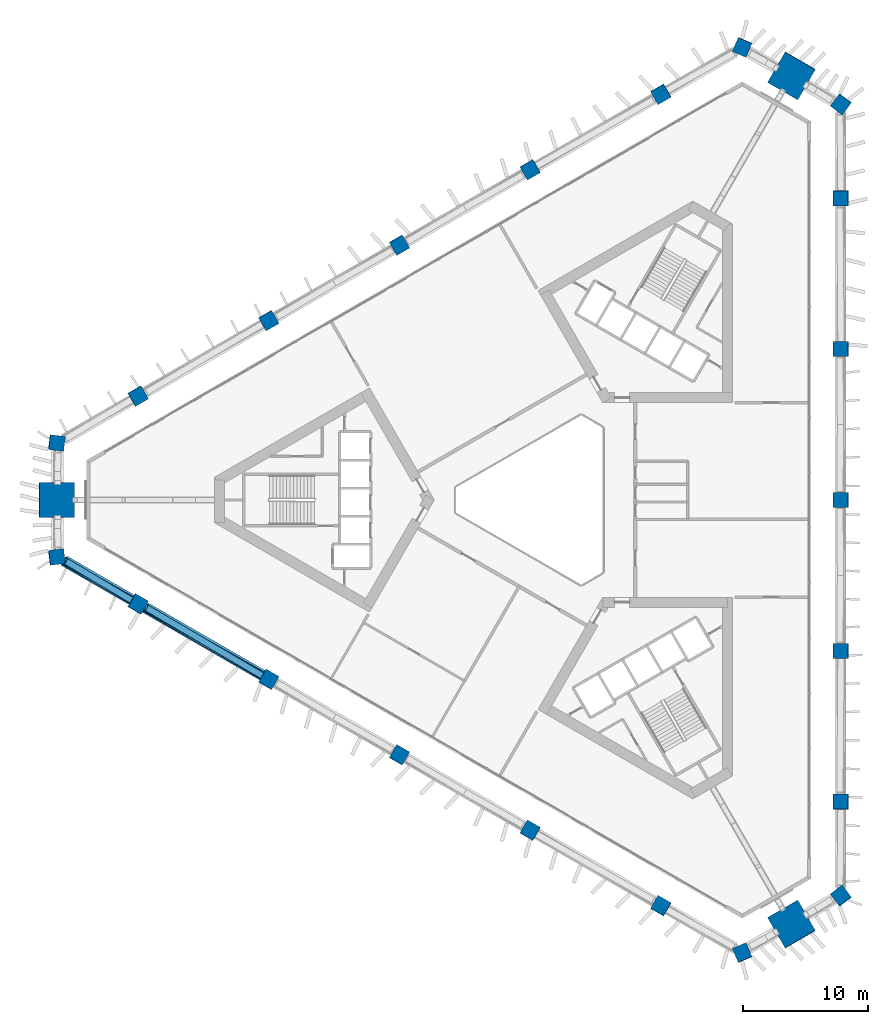
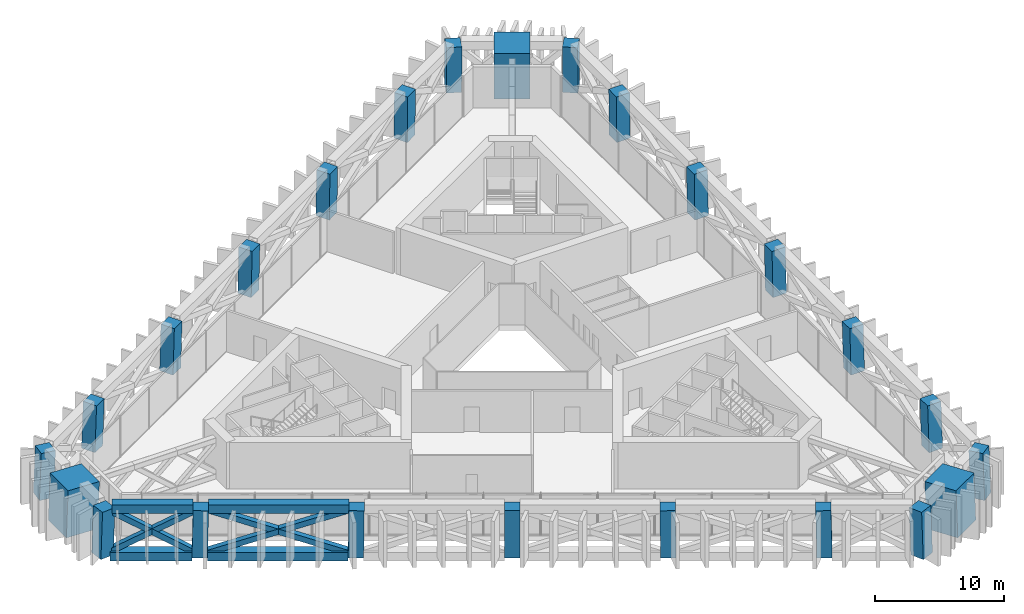
# One storey, part 1 of 18: 24 columns, 8 members.
"""IFC4 building model written with IfcOpenShell, lengths in metres."""

from ifc_helpers import new_model, si_unit, direction, frame, origin, origin_2d, place, context, subcontext, project, spatial, rectangle, hollow_rectangle, extrude, material, material_profile, profile_set, type_object, element, save


model = new_model("IFC4")

# Units and contexts
model_context = context("Model", 3, precision=1e-05, world=origin(), true_north=direction((0.0, 1.0)))
body_context = subcontext(model_context, "Body", "Model", "MODEL_VIEW")
ifc_project = project(units=[si_unit("LENGTHUNIT", "METRE"), si_unit("AREAUNIT", "SQUARE_METRE"), si_unit("VOLUMEUNIT", "CUBIC_METRE"), si_unit("PLANEANGLEUNIT", "RADIAN"), si_unit("MASSUNIT", "GRAM", prefix="KILO")], contexts=[model_context])

# Site, building, storey
site_placement = place(None, origin())
site = spatial("IfcSite", under=ifc_project, at=site_placement, CompositionType="ELEMENT")
building_placement = place(site_placement, origin())
building = spatial("IfcBuilding", under=site, at=building_placement, Name="Jabali Bay Hotel Tower and Convention Centre", CompositionType="ELEMENT")
storey_placement = place(building_placement, frame((0.0, 0.0, 52.89990234375)))
storey = spatial("IfcBuildingStorey", under=building, at=storey_placement, Name="L11", CompositionType="ELEMENT", Elevation=52.89990234375)

# Columns
ifc_material_1 = material(Name="Concrete C60", Category="concrete")
ifc_material_profile_1 = material_profile(ifc_material_1, rectangle(XDim=1.199951171875, YDim=1.199951171875, at=origin_2d()), Name="Frame column 1200")
ifc_profile_set_1 = profile_set([ifc_material_profile_1], Name="Concrete C60")
column_type_1 = type_object("IfcColumnType", Name="Frame column 1200", PredefinedType="COLUMN", material=ifc_profile_set_1)
column_1_placement = place(storey_placement, frame((84.15673828125, 112.5234375, 0.0), z_axis=(-0.008374563655, -0.028174028721, 0.999567952062), x_axis=(0.865767069895, 0.499991710759, 0.021346424936)))
element("IfcColumn", 1, at=column_1_placement, inside=storey, type_object=column_type_1, Name="FC1 F1.1 L11", PredefinedType="COLUMN", context=body_context, shape_type="SweptSolid", body=[
    extrude(rectangle(XDim=1.199951171875, YDim=1.199951171875, at=origin_2d()), origin(), (0.0, 0.0, 1.0), 4.402099609375),
])
column_2_placement = place(storey_placement, frame((73.681396484375, 106.475341796875, 0.0), z_axis=(0.000887523446, -0.022798258525, 0.999739691975), x_axis=(0.865376704776, 0.501008573055, 0.010656854921)))
element("IfcColumn", 2, at=column_2_placement, inside=storey, type_object=column_type_1, Name="FC1 F1.2 L11", PredefinedType="COLUMN", context=body_context, shape_type="SweptSolid", body=[
    extrude(rectangle(XDim=1.199951171875, YDim=1.199951171875, at=origin_2d()), origin(), (0.0, 0.0, 1.0), 4.4013671875),
])
column_3_placement = place(storey_placement, frame((63.2060546875, 100.427490234375, 0.0), z_axis=(0.010096151254, -0.017474107939, 0.999796340902), x_axis=(-0.500171963961, 0.865690897347, 0.020181098047)))
element("IfcColumn", 3, at=column_3_placement, inside=storey, type_object=column_type_1, Name="FC1 F1.3 L11", PredefinedType="COLUMN", context=body_context, shape_type="SweptSolid", body=[
    extrude(rectangle(XDim=1.199951171875, YDim=1.199951171875, at=origin_2d()), origin(), (0.0, 0.0, 1.0), 4.401123046875),
])
column_4_placement = place(storey_placement, frame((52.73095703125, 94.379638671875, 0.0), z_axis=(0.019303638282, -0.012147979264, 0.999739864239), x_axis=(-0.499386766349, 0.866144413121, 0.020167132063)))
element("IfcColumn", 4, at=column_4_placement, inside=storey, type_object=column_type_1, Name="FC1 F1.4 L11", PredefinedType="COLUMN", context=body_context, shape_type="SweptSolid", body=[
    extrude(rectangle(XDim=1.199951171875, YDim=1.199951171875, at=origin_2d()), origin(), (0.0, 0.0, 1.0), 4.4013671875),
])
for number, where, z_axis, x_axis, name in (
    (5, (42.255615234375, 88.331787109375, 0.0), (0.028562275974, -0.006821669796, 0.999568737613), (-0.499617756737, 0.866010738811, 0.020186565255), "FC1 F1.5 L11"),
    (6, (42.255615234375, 71.668212890625, 0.0), (0.028562275974, 0.006821669796, 0.999568737613), (-0.865774967035, 0.499978864638, 0.021327010357), "FC1 F2.1 L11"),
):
    element("IfcColumn", number, at=place(storey_placement, frame(where, z_axis=z_axis, x_axis=x_axis)), inside=storey, type_object=column_type_1, Name=name, PredefinedType="COLUMN", context=body_context, shape_type="SweptSolid", body=[
        extrude(rectangle(XDim=1.199951171875, YDim=1.199951171875, at=origin_2d()), origin(), (0.0, 0.0, 1.0), 4.402099609375),
    ])
column_5_placement = place(storey_placement, frame((52.73095703125, 65.620361328125, 0.0), z_axis=(0.019303638282, 0.012147979264, 0.999739864239), x_axis=(-0.866164087887, 0.499646157015, 0.010653198369)))
element("IfcColumn", 7, at=column_5_placement, inside=storey, type_object=column_type_1, Name="FC1 F2.2 L11", PredefinedType="COLUMN", context=body_context, shape_type="SweptSolid", body=[
    extrude(rectangle(XDim=1.199951171875, YDim=1.199951171875, at=origin_2d()), origin(), (0.0, 0.0, 1.0), 4.4013671875),
])
column_6_placement = place(storey_placement, frame((63.2060546875, 59.572509765625, 0.0), z_axis=(0.010096151254, 0.017474107939, 0.999796340902), x_axis=(-0.865867238205, 0.500273850809, 8.7352e-08)))
element("IfcColumn", 8, at=column_6_placement, inside=storey, type_object=column_type_1, Name="FC1 F2.3 L11", PredefinedType="COLUMN", context=body_context, shape_type="SweptSolid", body=[
    extrude(rectangle(XDim=1.199951171875, YDim=1.199951171875, at=origin_2d()), origin(), (0.0, 0.0, 1.0), 4.401123046875),
])
column_7_placement = place(storey_placement, frame((73.681396484375, 53.524658203125, 0.0), z_axis=(0.000887523446, 0.022798258525, 0.999739691975), x_axis=(-0.501121114236, -0.865141982066, 0.020173738693)))
element("IfcColumn", 9, at=column_7_placement, inside=storey, type_object=column_type_1, Name="FC1 F2.4 L11", PredefinedType="COLUMN", context=body_context, shape_type="SweptSolid", body=[
    extrude(rectangle(XDim=1.199951171875, YDim=1.199951171875, at=origin_2d()), origin(), (0.0, 0.0, 1.0), 4.4013671875),
])
for number, where, z_axis, x_axis, name in (
    (10, (84.15673828125, 47.4765625, 0.0), (-0.008374563655, 0.028174028721, 0.999567952062), (-0.50037710516, -0.865571784012, 0.020204933884), "FC1 F2.5 L11"),
    (11, (98.587646484375, 55.808349609375, 0.0), (-0.020187718218, 0.021296933504, 0.999569355601), (0.000515138351, -0.999772747835, 0.02131167095), "FC1 F0.1 L11"),
):
    element("IfcColumn", number, at=place(storey_placement, frame(where, z_axis=z_axis, x_axis=x_axis)), inside=storey, type_object=column_type_1, Name=name, PredefinedType="COLUMN", context=body_context, shape_type="SweptSolid", body=[
        extrude(rectangle(XDim=1.199951171875, YDim=1.199951171875, at=origin_2d()), origin(), (0.0, 0.0, 1.0), 4.402099609375),
    ])
column_8_placement = place(storey_placement, frame((98.587646484375, 67.904052734375, 0.0), z_axis=(-0.020191140758, 0.010705742215, 0.999738818351), x_axis=(-0.001655148704, -0.999941656211, 0.010674486241)))
element("IfcColumn", 12, at=column_8_placement, inside=storey, type_object=column_type_1, Name="FC1 F0.2 L11", PredefinedType="COLUMN", context=body_context, shape_type="SweptSolid", body=[
    extrude(rectangle(XDim=1.199951171875, YDim=1.199951171875, at=origin_2d()), origin(), (0.0, 0.0, 1.0), 4.4013671875),
])
column_9_placement = place(storey_placement, frame((98.587646484375, 80.0, 0.0), z_axis=(-0.02019229794, 0.0, 0.999796114767), x_axis=(0.0, -1.0, 0.0)))
element("IfcColumn", 13, at=column_9_placement, inside=storey, type_object=column_type_1, Name="FC1 F0.3 L11", PredefinedType="COLUMN", context=body_context, shape_type="SweptSolid", body=[
    extrude(rectangle(XDim=1.199951171875, YDim=1.199951171875, at=origin_2d()), origin(), (0.0, 0.0, 1.0), 4.401123046875),
])
column_10_placement = place(storey_placement, frame((98.587646484375, 92.095947265625, 0.0), z_axis=(-0.020191140758, -0.010705742215, 0.999738818351), x_axis=(0.999794768099, 0.001439186356, 0.020207682326)))
element("IfcColumn", 14, at=column_10_placement, inside=storey, type_object=column_type_1, Name="FC1 F0.4 L11", PredefinedType="COLUMN", context=body_context, shape_type="SweptSolid", body=[
    extrude(rectangle(XDim=1.199951171875, YDim=1.199951171875, at=origin_2d()), origin(), (0.0, 0.0, 1.0), 4.4013671875),
])
column_11_placement = place(storey_placement, frame((98.587646484375, 104.191650390625, 0.0), z_axis=(-0.020187718218, -0.021296933504, 0.999569355601), x_axis=(0.99979607454, -0.000945150517, 0.020172159648)))
element("IfcColumn", 15, at=column_11_placement, inside=storey, type_object=column_type_1, Name="FC1 F0.5 L11", PredefinedType="COLUMN", context=body_context, shape_type="SweptSolid", body=[
    extrude(rectangle(XDim=1.199951171875, YDim=1.199951171875, at=origin_2d()), origin(), (0.0, 0.0, 1.0), 4.402099609375),
])
for number, where, z_axis, x_axis, name in (
    (16, (98.587646484375, 48.280029296875, 0.0), (-0.020183805084, 0.029000357304, 0.999375601708), (-0.802341908924, -0.59686364986, 0.001115643013), "FC1 V0 L11"),
    (17, (98.587646484375, 111.719970703125, 0.0), (-0.020183805084, -0.029000357304, 0.999375601708), (0.596523323262, 0.801818410085, 0.035315181609), "FC1 V1 L11"),
    (18, (90.676513671875, 116.28759765625, 0.0), (-0.015026945815, -0.031994641089, 0.999375071653), (0.918101731886, -0.396343240416, 0.001116102737), "FC1 V2 L11"),
    (19, (35.73583984375, 84.567626953125, 0.0), (0.035210752589, -0.00299430022, 0.999375423486), (-0.992609354032, 0.116099751692, 0.035320220074), "FC1 V3 L11"),
    (20, (35.73583984375, 75.432373046875, 0.0), (0.035210752589, 0.00299430022, 0.999375423486), (-0.116132997856, 0.993233045072, 0.001115789225), "FC1 V4 L11"),
    (21, (90.676513671875, 43.71240234375, 0.0), (-0.015026945815, 0.031994641089, 0.999375071653), (0.396059844983, -0.917544755703, 0.035330163792), "FC1 V5 L11"),
):
    element("IfcColumn", number, at=place(storey_placement, frame(where, z_axis=z_axis, x_axis=x_axis)), inside=storey, type_object=column_type_1, Name=name, PredefinedType="COLUMN", context=body_context, shape_type="SweptSolid", body=[
        extrude(rectangle(XDim=1.199951171875, YDim=1.199951171875, at=origin_2d()), origin(), (0.0, 0.0, 1.0), 4.40283203125),
    ])
ifc_material_2 = material(Name="Concrete C70", Category="concrete")
ifc_material_profile_2 = material_profile(ifc_material_2, rectangle(XDim=2.800048828125, YDim=2.800048828125, at=origin_2d()), Name="Mega column 2800")
ifc_profile_set_2 = profile_set([ifc_material_profile_2], Name="Concrete C70")
column_type_2 = type_object("IfcColumnType", Name="Mega column 2800", PredefinedType="COLUMN", material=ifc_profile_set_2)
for number, where, z_axis, x_axis, name in (
    (22, (94.632080078125, 114.003662109375, 0.0), (-0.017577766169, -0.030442251188, 0.99938195475), (0.49973347244, 0.865465624969, 0.035152646001), "MC1 M1 L11"),
    (23, (35.73583984375, 80.0, 0.0), (0.035210910437, 0.0, 0.999379903633), (0.0, 1.0, 0.0), "MC1 M0 L11"),
    (24, (94.632080078125, 45.996337890625, 0.0), (-0.017577766169, 0.030442251188, 0.99938195475), (-0.866000853729, -0.500042519532, 5.9512e-08), "MC1 M2 L11"),
):
    element("IfcColumn", number, at=place(storey_placement, frame(where, z_axis=z_axis, x_axis=x_axis)), inside=storey, type_object=column_type_2, Name=name, PredefinedType="COLUMN", context=body_context, shape_type="SweptSolid", body=[
        extrude(rectangle(XDim=2.800048828125, YDim=2.800048828125, at=origin_2d()), origin(), (0.0, 0.0, 1.0), 4.40283203125),
    ])

# Members
ifc_material_3 = material(Name="Steel Q420GJC", Category="steel")
ifc_material_profile_3 = material_profile(ifc_material_3, hollow_rectangle(XDim=0.5, YDim=0.5, WallThickness=0.030029296875, at=origin_2d()), Name="Belt brace 500x500x30")
ifc_profile_set_3 = profile_set([ifc_material_profile_3], Name="Steel Q420GJC")
member_type_1 = type_object("IfcMemberType", Name="Belt brace 500x500x30", PredefinedType="BRACE", material=ifc_profile_set_3)
member_1_placement = place(storey_placement, frame((36.259033203125, 75.138427734375, 0.346435546875), z_axis=(0.755034238339, -0.42426642668, 0.499921291933), x_axis=(0.48987496926, 0.87179270156, 0.0)))
element("IfcMember", 25, at=member_1_placement, inside=storey, type_object=member_type_1, Name="Belt brace T1 V4-F2.1 x1", PredefinedType="BRACE", context=body_context, shape_type="SweptSolid", body=[
    extrude(hollow_rectangle(XDim=0.5, YDim=0.5, WallThickness=0.030029296875, at=origin_2d()), origin(), (0.0, 0.0, 1.0), 7.415771484375),
])
member_2_placement = place(storey_placement, frame((41.739501953125, 71.974609375, 0.356689453125), z_axis=(-0.739190475785, 0.438681780781, 0.511033986853), x_axis=(-0.510355905698, -0.85996328382, 0.0)))
element("IfcMember", 26, at=member_2_placement, inside=storey, type_object=member_type_1, Name="Belt brace T1 V4-F2.1 x2", PredefinedType="BRACE", context=body_context, shape_type="SweptSolid", body=[
    extrude(hollow_rectangle(XDim=0.5, YDim=0.5, WallThickness=0.030029296875, at=origin_2d()), origin(), (0.0, 0.0, 1.0), 7.21435546875),
])
member_3_placement = place(storey_placement, frame((42.77734375, 71.3720703125, 0.217529296875), z_axis=(0.81764262067, -0.464122989856, 0.340661701914), x_axis=(0.493650212477, 0.86966054741, 0.0)))
element("IfcMember", 27, at=member_3_placement, inside=storey, type_object=member_type_1, Name="Belt brace T1 F2.1-F2.2 x1", PredefinedType="BRACE", context=body_context, shape_type="SweptSolid", body=[
    extrude(hollow_rectangle(XDim=0.5, YDim=0.5, WallThickness=0.030029296875, at=origin_2d()), origin(), (0.0, 0.0, 1.0), 11.639404296875),
])
member_4_placement = place(storey_placement, frame((52.21337890625, 65.92431640625, 0.219970703125), z_axis=(-0.809606268259, 0.475455089943, 0.344209453449), x_axis=(-0.506399714838, -0.862298862815, 0.0)))
element("IfcMember", 28, at=member_4_placement, inside=storey, type_object=member_type_1, Name="Belt brace T1 F2.1-F2.2 x2", PredefinedType="BRACE", context=body_context, shape_type="SweptSolid", body=[
    extrude(hollow_rectangle(XDim=0.5, YDim=0.5, WallThickness=0.030029296875, at=origin_2d()), origin(), (0.0, 0.0, 1.0), 11.505126953125),
])
ifc_material_profile_4 = material_profile(ifc_material_3, hollow_rectangle(XDim=0.800048828125, YDim=0.800048828125, WallThickness=0.0400390625, at=origin_2d()), Name="Belt chord 800x800x40")
ifc_profile_set_4 = profile_set([ifc_material_profile_4], Name="Steel Q420GJC")
member_type_2 = type_object("IfcMemberType", Name="Belt chord 800x800x40", PredefinedType="CHORD", material=ifc_profile_set_4)
member_5_placement = place(storey_placement, frame((36.25537109375, 75.132568359375, 0.0), z_axis=(0.866014693011, -0.500018551145, 0.0), x_axis=(0.500018551145, 0.866014693011, 0.0)))
element("IfcMember", 29, at=member_5_placement, inside=storey, type_object=member_type_2, Name="Belt chord T1 V4-F2.1", PredefinedType="CHORD", context=body_context, shape_type="SweptSolid", body=[
    extrude(hollow_rectangle(XDim=0.800048828125, YDim=0.800048828125, WallThickness=0.0400390625, at=origin_2d()), origin(), (0.0, 0.0, 1.0), 6.328369140625),
])
member_6_placement = place(storey_placement, frame((42.775146484375, 71.368408203125, 0.0), z_axis=(0.866021405433, -0.500006925284, 0.0), x_axis=(0.500006925284, 0.866021405433, 0.0)))
element("IfcMember", 30, at=member_6_placement, inside=storey, type_object=member_type_2, Name="Belt chord T1 F2.1-F2.2", PredefinedType="CHORD", context=body_context, shape_type="SweptSolid", body=[
    extrude(hollow_rectangle(XDim=0.800048828125, YDim=0.800048828125, WallThickness=0.0400390625, at=origin_2d()), origin(), (0.0, 0.0, 1.0), 10.895751953125),
])
member_7_placement = place(storey_placement, frame((36.410400390625, 75.1455078125, 4.400146484375), z_axis=(0.86602669382, -0.499997765587, 0.0), x_axis=(0.499997765587, 0.86602669382, 0.0)))
element("IfcMember", 31, at=member_7_placement, inside=storey, type_object=member_type_2, Name="Belt chord T1 V4-F2.1", PredefinedType="CHORD", context=body_context, shape_type="SweptSolid", body=[
    extrude(hollow_rectangle(XDim=0.800048828125, YDim=0.800048828125, WallThickness=0.0400390625, at=origin_2d()), origin(), (0.0, 0.0, 1.0), 6.29443359375),
])
member_8_placement = place(storey_placement, frame((42.90087890625, 71.3984375, 4.400146484375), z_axis=(0.866022945871, -0.500004257206, 0.0), x_axis=(0.500004257206, 0.866022945871, 0.0)))
element("IfcMember", 32, at=member_8_placement, inside=storey, type_object=member_type_2, Name="Belt chord T1 F2.1-F2.2", PredefinedType="CHORD", context=body_context, shape_type="SweptSolid", body=[
    extrude(hollow_rectangle(XDim=0.800048828125, YDim=0.800048828125, WallThickness=0.0400390625, at=origin_2d()), origin(), (0.0, 0.0, 1.0), 10.84912109375),
])

save(model, "model.ifc")
